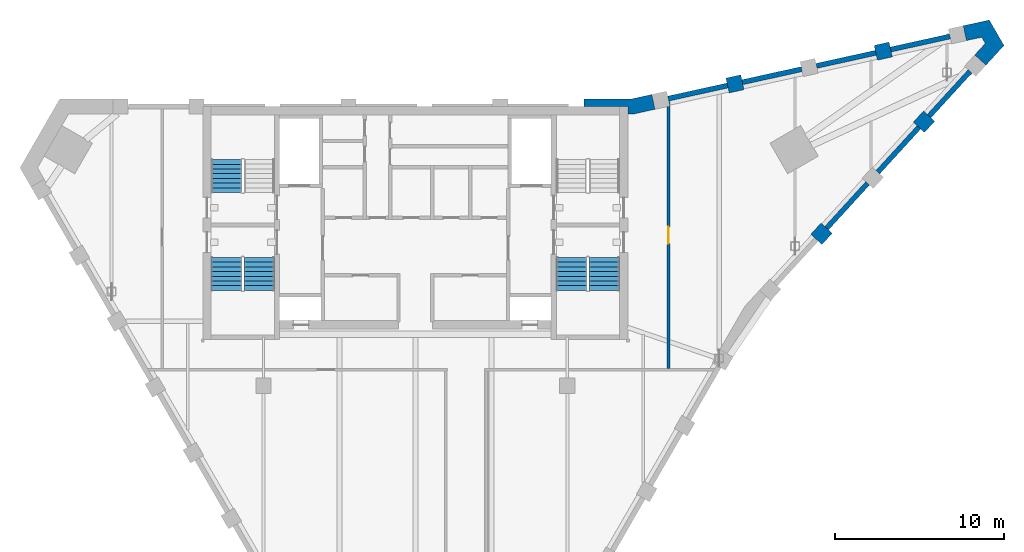
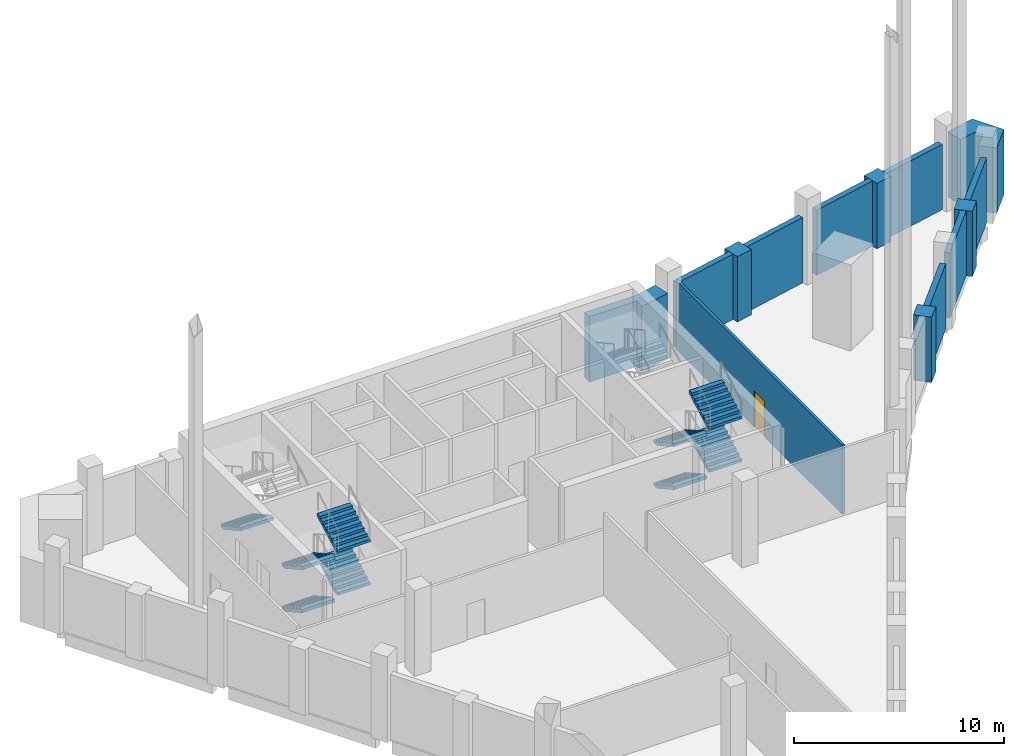
# One storey, part 7 of 11: 14 walls, 9 stair flights, 1 door, 1 opening, 3 elements without a shape of their own.
"""IFC4 building model written with IfcOpenShell, lengths in metres."""

from ifc_helpers import new_model, si_unit, direction, frame, frame_2d, origin, place, context, subcontext, project, spatial, polyline, rectangle, outline, extrude, faceted_brep, source, transform, mapped, material, layer, layer_set, type_object, element, fill, aggregate, save


model = new_model("IFC4")

# Units and contexts
model_context = context("Model", 3, precision=1e-05, world=origin(), true_north=direction((0.0, 1.0)))
body_context = subcontext(model_context, "Body", "Model", "MODEL_VIEW")
ifc_project = project(units=[si_unit("LENGTHUNIT", "METRE"), si_unit("AREAUNIT", "SQUARE_METRE"), si_unit("VOLUMEUNIT", "CUBIC_METRE"), si_unit("PLANEANGLEUNIT", "RADIAN"), si_unit("MASSUNIT", "GRAM", prefix="KILO")], contexts=[model_context])

# Site, building, storey
site_placement = place(None, origin())
site = spatial("IfcSite", under=ifc_project, at=site_placement, CompositionType="ELEMENT")
building_placement = place(site_placement, origin())
building = spatial("IfcBuilding", under=site, at=building_placement, Name="Calabash Gate Tower", CompositionType="ELEMENT")
storey_placement = place(building_placement, frame((0.0, 0.0, 310.5)))
storey = spatial("IfcBuildingStorey", under=building, at=storey_placement, Name="L73", CompositionType="ELEMENT", Elevation=310.5)

# Walls
ifc_material_1 = material(Name="Terracotta brick masonry, exposed face", Category="masonry")
ifc_layer_1 = layer(ifc_material_1, 0.89990234375)
ifc_layer_set_1 = layer_set([ifc_layer_1], Name="Brick end wall 900")
wall_type_1 = type_object("IfcWallType", Name="Brick end wall 900", PredefinedType="SOLIDWALL", material=ifc_layer_set_1)
wall_1_placement = place(storey_placement, frame((23.763671875, 11.17333984375, 0.0), z_axis=(0.0, 0.0, 1.0), x_axis=(0.674802966049, 0.737997938352, 0.0)))
element("IfcWall", 1, at=wall_1_placement, inside=storey, type_object=wall_type_1, Name="Brick pier L73 crown4.1", PredefinedType="SOLIDWALL", context=body_context, shape_type="SweptSolid", body=[
    extrude(rectangle(XDim=0.900146484375, YDim=0.89990234375, at=frame_2d((0.4501953125, 0.0))), origin(), (0.0, 0.0, 1.0), 3.800048828125),
])
wall_2_placement = place(storey_placement, frame((30.44482421875, 18.47900390625, 0.0), z_axis=(0.0, 0.0, 1.0), x_axis=(-0.674938051731, -0.737874397391, 0.0)))
element("IfcWall", 2, at=wall_2_placement, inside=storey, type_object=wall_type_1, Name="Brick pier L73 crown4.3", PredefinedType="SOLIDWALL", context=body_context, shape_type="SweptSolid", body=[
    extrude(rectangle(XDim=0.89990234375, YDim=0.89990234375, at=frame_2d((0.449951171875, 0.0))), origin(), (0.0, 0.0, 1.0), 3.800048828125),
])
for number, where, z_axis, x_axis, name in (
    (3, (28.16650390625, 22.42529296875, 0.0), (0.0, 0.0, 1.0), (-0.976473402733, -0.215637876437, 0.0), "Brick pier L73 crown6.1"),
    (4, (18.4990234375, 20.2919921875, 0.0), (0.0, 0.0, 1.0), (0.976473402733, 0.215637876437, 0.0), "Brick pier L73 crown6.3"),
):
    element("IfcWall", number, at=place(storey_placement, frame(where, z_axis=z_axis, x_axis=x_axis)), inside=storey, type_object=wall_type_1, Name=name, PredefinedType="SOLIDWALL", context=body_context, shape_type="SweptSolid", body=[
        extrude(rectangle(XDim=0.900146484375, YDim=0.89990234375, at=frame_2d((0.4501953125, 0.0))), origin(), (0.0, 0.0, 1.0), 3.800048828125),
    ])
wall_3_placement = place(storey_placement, origin())
element("IfcWall", 5, at=wall_3_placement, inside=storey, type_object=wall_type_1, Name="Brick end wall L73 3", PredefinedType="SOLIDWALL", context=body_context, shape_type="SweptSolid", body=[
    extrude(outline(polyline([(33.813720703125, 21.496337890625), (34.881591796875, 22.663818359375), (34.0087890625, 24.175048828125), (32.4638671875, 23.834228515625), (32.65771484375, 22.955322265625), (33.55908203125, 23.154296875), (33.7724609375, 22.78466796875), (33.149658203125, 22.103759765625), (33.813720703125, 21.496337890625)])), origin(), (0.0, 0.0, 1.0), 3.800048828125),
])
wall_4_placement = place(storey_placement, origin())
element("IfcWall", 6, at=wall_4_placement, inside=storey, type_object=wall_type_1, Name="Brick end wall L73 4", PredefinedType="SOLIDWALL", context=body_context, shape_type="SweptSolid", body=[
    extrude(outline(polyline([(14.007568359375, 19.761474609375), (12.83251953125, 19.50244140625), (9.984375, 19.50244140625), (9.984375, 19.052490234375), (12.60009765625, 19.052490234375), (12.60009765625, 18.6025390625), (12.930419921875, 18.6025390625), (14.201416015625, 18.883056640625), (14.007568359375, 19.761474609375)])), origin(), (0.0, 0.0, 1.0), 3.800048828125),
])

# Wall, opening, door
ifc_material_2 = material(Name="Gypsum board on steel studs, mineral wool", Category="steel")
ifc_layer_2 = layer(ifc_material_2, 0.14990234375)
ifc_layer_set_2 = layer_set([ifc_layer_2], Name="Partition 150 gypsum board")
wall_type_2 = type_object("IfcWallType", Name="Partition 150 gypsum board", PredefinedType="PARTITIONING", material=ifc_layer_set_2)
wall_5_placement = place(storey_placement, frame((15.0, 3.527587890625, 0.0), z_axis=(0.0, 0.0, 1.0), x_axis=(0.0, 1.0, 0.0)))
wall_5 = element("IfcWall", 7, at=wall_5_placement, inside=storey, type_object=wall_type_2, Name="Partition", PredefinedType="PARTITIONING", context=body_context, shape_type="SweptSolid", body=[
    extrude(rectangle(XDim=15.830322265625, YDim=0.14990234375, at=frame_2d((7.9150390625, 0.0))), origin(), (0.0, 0.0, 1.0), 4.02001953125),
])
opening_placement = place(wall_5_placement, frame((7.392333984375, 0.0, 0.0)))
opening = element("IfcOpeningElement", 8, at=opening_placement, cuts=wall_5, Name="Opening L73-025", PredefinedType="OPENING", context=body_context, shape_type="SweptSolid", body=[
    extrude(rectangle(XDim=1.0, YDim=2.10009765625, at=frame_2d((0.5, 1.050048828125))), frame((0.0, 0.0849609375, 0.0), z_axis=(0.0, -1.0, 0.0), x_axis=(1.0, 0.0, 0.0)), (0.0, 0.0, 1.0), 0.169921875),
])
ifc_material_3 = material(Name="Steel fire door set with fire-resisting glazing", Category="steel")
door_type = type_object("IfcDoorType", Name="Fire door D11 1000x2100 FD60", OperationType="NOTDEFINED", PredefinedType="DOOR", material=ifc_material_3)
door_placement = place(opening_placement, origin())
door = element("IfcDoor", 9, at=door_placement, inside=storey, type_object=door_type, Name="Mechanical Fan Room door", OperationType="SINGLE_SWING_LEFT", OverallHeight=2.10009765625, OverallWidth=1.0, PredefinedType="DOOR", context=body_context, shape_type="SweptSolid", body=[
    extrude(rectangle(XDim=1.0, YDim=2.10009765625, at=frame_2d((0.5, 1.050048828125))), frame((0.0, 0.02490234375, 0.0), z_axis=(0.0, -1.0, 0.0), x_axis=(1.0, 0.0, 0.0)), (0.0, 0.0, 1.0), 0.050048828125),
])
fill(opening, door)

# Walls
ifc_material_4 = material(Name="Terracotta louvre blades in an aluminium frame", Category="masonry")
ifc_layer_3 = layer(ifc_material_4, 0.300048828125)
ifc_layer_set_3 = layer_set([ifc_layer_3], Name="Terracotta louvre wall 300")
wall_type_3 = type_object("IfcWallType", Name="Terracotta louvre wall 300", PredefinedType="ELEMENTEDWALL", material=ifc_layer_set_3)
wall_6_placement = place(storey_placement, frame((24.37109375, 11.837646484375, 0.0), z_axis=(0.0, 0.0, 1.0), x_axis=(0.674867348758, 0.737939063595, 0.0)))
element("IfcWall", 10, at=wall_6_placement, inside=storey, type_object=wall_type_3, Name="LOUVRE L73 crown4.2", PredefinedType="ELEMENTEDWALL", context=body_context, shape_type="SweptSolid", body=[
    extrude(rectangle(XDim=3.599853515625, YDim=0.300048828125, at=frame_2d((1.7998046875, 0.0))), origin(), (0.0, 0.0, 1.0), 3.800048828125),
])
for number, where, z_axis, x_axis, name in (
    (11, (27.407958984375, 15.158203125, 0.0), (0.0, 0.0, 1.0), (0.674833575111, 0.737969949187, 0.0), "LOUVRE L73 crown4.3"),
    (12, (30.44482421875, 18.47900390625, 0.0), (0.0, 0.0, 1.0), (0.674833575111, 0.737969949187, 0.0), "LOUVRE L73 crown4.4"),
):
    element("IfcWall", number, at=place(storey_placement, frame(where, z_axis=z_axis, x_axis=x_axis)), inside=storey, type_object=wall_type_3, Name=name, PredefinedType="ELEMENTEDWALL", context=body_context, shape_type="SweptSolid", body=[
        extrude(rectangle(XDim=3.60009765625, YDim=0.300048828125, at=frame_2d((1.800048828125, 0.0))), origin(), (0.0, 0.0, 1.0), 3.800048828125),
    ])
wall_7_placement = place(storey_placement, frame((31.681884765625, 23.200927734375, 0.0), z_axis=(0.0, 0.0, 1.0), x_axis=(-0.976513072969, -0.215458159096, 0.0)))
element("IfcWall", 13, at=wall_7_placement, inside=storey, type_object=wall_type_3, Name="LOUVRE L73 crown6.1", PredefinedType="ELEMENTEDWALL", context=body_context, shape_type="SweptSolid", body=[
    extrude(rectangle(XDim=3.599853515625, YDim=0.300048828125, at=frame_2d((1.7998046875, 0.0))), origin(), (0.0, 0.0, 1.0), 3.800048828125),
])
wall_8_placement = place(storey_placement, origin())
element("IfcWall", 14, at=wall_8_placement, inside=storey, type_object=wall_type_3, Name="LOUVRE L73 crown6.2", PredefinedType="ELEMENTEDWALL", context=body_context, shape_type="SweptSolid", body=[
    extrude(outline(polyline([(27.25537109375, 22.377685546875), (23.740234375, 21.60205078125), (23.804931640625, 21.30908203125), (27.31982421875, 22.084716796875), (27.25537109375, 22.377685546875)])), origin(), (0.0, 0.0, 1.0), 3.800048828125),
])
for number, where, z_axis, x_axis, name in (
    (15, (22.893310546875, 21.26171875, 0.0), (0.0, 0.0, 1.0), (-0.976513072969, -0.215458159096, 0.0), "LOUVRE L73 crown6.3"),
    (16, (18.4990234375, 20.2919921875, 0.0), (0.0, 0.0, 1.0), (-0.976513072969, -0.215458159096, 0.0), "LOUVRE L73 crown6.4"),
):
    element("IfcWall", number, at=place(storey_placement, frame(where, z_axis=z_axis, x_axis=x_axis)), inside=storey, type_object=wall_type_3, Name=name, PredefinedType="ELEMENTEDWALL", context=body_context, shape_type="SweptSolid", body=[
        extrude(rectangle(XDim=3.599853515625, YDim=0.300048828125, at=frame_2d((1.7998046875, 0.0))), origin(), (0.0, 0.0, 1.0), 3.800048828125),
    ])

# Stair, stair flight
ifc_material_5 = material(Name="Concrete C40/50", Category="concrete")
stair_type = type_object("IfcStairType", Name="Exit stair 32 risers of 156.2 mm", PredefinedType="HALF_TURN_STAIR", material=ifc_material_5)
stair_1_placement = place(storey_placement, origin())
stair_1 = element("IfcStair", 17, at=stair_1_placement, inside=storey, type_object=stair_type, Name="L73 Exit stair ST1", PredefinedType="HALF_TURN_STAIR")
ifc_material_6 = material(Name="Concrete C40/50", Category="concrete")
stair_flight_type = type_object("IfcStairFlightType", Name="Exit stair flight SFL", PredefinedType="STRAIGHT", material=ifc_material_6)
shared_shape = source(origin(), body_context, "Body", "Brep", [
    faceted_brep([(-0.0009765625, -0.89990234375, 0.0), (0.306884765625, -0.89990234375, 0.0), (1.9541015625, -0.89990234375, 0.921875), (-0.0009765625, 0.89990234375, 0.0), (1.9541015625, 0.89990234375, 0.921875), (0.306884765625, 0.89990234375, 0.0), (1.9541015625, -0.89990234375, 1.105712890625), (1.952880859375, -0.89990234375, 1.105712890625), (1.952880859375, 0.89990234375, 1.105712890625), (1.9541015625, 0.89990234375, 1.105712890625), (1.952880859375, -0.89990234375, 1.09375), (1.952880859375, 0.89990234375, 1.09375), (1.674072265625, -0.89990234375, 1.09375), (1.674072265625, 0.89990234375, 1.09375), (1.674072265625, -0.89990234375, 0.9375), (1.674072265625, 0.89990234375, 0.9375), (1.39501953125, -0.89990234375, 0.9375), (1.39501953125, 0.89990234375, 0.9375), (1.39501953125, -0.89990234375, 0.78125), (1.39501953125, 0.89990234375, 0.78125), (1.115966796875, -0.89990234375, 0.78125), (1.115966796875, -0.89990234375, 0.625), (1.115966796875, 0.89990234375, 0.625), (1.115966796875, 0.89990234375, 0.78125), (0.8369140625, -0.89990234375, 0.625), (0.8369140625, -0.89990234375, 0.46875), (0.8369140625, 0.89990234375, 0.46875), (0.8369140625, 0.89990234375, 0.625), (0.55810546875, -0.89990234375, 0.46875), (0.55810546875, -0.89990234375, 0.3125), (0.55810546875, 0.89990234375, 0.3125), (0.55810546875, 0.89990234375, 0.46875), (0.279052734375, -0.89990234375, 0.3125), (0.279052734375, -0.89990234375, 0.15625), (0.279052734375, 0.89990234375, 0.15625), (0.279052734375, 0.89990234375, 0.3125), (-0.0009765625, -0.89990234375, 0.15625), (-0.0009765625, 0.89990234375, 0.15625), (0.306884765625, -0.360107421875, 0.0), (1.9541015625, -0.360107421875, 0.921875), (0.306884765625, -0.27001953125, 0.0), (1.9541015625, -0.27001953125, 0.921875), (0.306884765625, -0.179931640625, 0.0), (1.9541015625, -0.179931640625, 0.921875), (0.306884765625, -0.090087890625, 0.0), (1.9541015625, -0.090087890625, 0.921875), (0.306884765625, 0.0, 0.0), (1.9541015625, 0.0, 0.921875), (0.306884765625, 0.090087890625, 0.0), (1.9541015625, 0.090087890625, 0.921875), (0.306884765625, 0.179931640625, 0.0), (1.9541015625, 0.179931640625, 0.921875), (0.306884765625, 0.27001953125, 0.0), (1.9541015625, 0.27001953125, 0.921875), (0.306884765625, 0.360107421875, 0.0), (1.9541015625, 0.360107421875, 0.921875), (1.9541015625, -0.360107421875, 1.105712890625), (1.9541015625, -0.27001953125, 1.105712890625), (1.9541015625, -0.179931640625, 1.105712890625), (1.9541015625, -0.090087890625, 1.105712890625), (1.9541015625, 0.0, 1.105712890625), (1.9541015625, 0.090087890625, 1.105712890625), (1.9541015625, 0.179931640625, 1.105712890625), (1.9541015625, 0.27001953125, 1.105712890625), (1.9541015625, 0.360107421875, 1.105712890625), (1.952880859375, -0.360107421875, 1.105712890625), (1.952880859375, -0.27001953125, 1.105712890625), (1.952880859375, -0.179931640625, 1.105712890625), (1.952880859375, -0.090087890625, 1.105712890625), (1.952880859375, 0.0, 1.105712890625), (1.952880859375, 0.090087890625, 1.105712890625), (1.952880859375, 0.179931640625, 1.105712890625), (1.952880859375, 0.27001953125, 1.105712890625), (1.952880859375, 0.360107421875, 1.105712890625), (1.952880859375, -0.360107421875, 1.09375), (1.952880859375, -0.27001953125, 1.09375), (1.952880859375, -0.179931640625, 1.09375), (1.952880859375, -0.090087890625, 1.09375), (1.952880859375, 0.0, 1.09375), (1.952880859375, 0.090087890625, 1.09375), (1.952880859375, 0.179931640625, 1.09375), (1.952880859375, 0.27001953125, 1.09375), (1.952880859375, 0.360107421875, 1.09375), (1.674072265625, -0.360107421875, 1.09375), (1.674072265625, -0.27001953125, 1.09375), (1.674072265625, -0.179931640625, 1.09375), (1.674072265625, -0.090087890625, 1.09375), (1.674072265625, 0.0, 1.09375), (1.674072265625, 0.090087890625, 1.09375), (1.674072265625, 0.179931640625, 1.09375), (1.674072265625, 0.27001953125, 1.09375), (1.674072265625, 0.360107421875, 1.09375), (1.674072265625, -0.360107421875, 0.9375), (1.674072265625, -0.27001953125, 0.9375), (1.674072265625, -0.179931640625, 0.9375), (1.674072265625, -0.090087890625, 0.9375), (1.674072265625, 0.0, 0.9375), (1.674072265625, 0.090087890625, 0.9375), (1.674072265625, 0.179931640625, 0.9375), (1.674072265625, 0.27001953125, 0.9375), (1.674072265625, 0.360107421875, 0.9375), (1.39501953125, -0.360107421875, 0.9375), (1.39501953125, -0.27001953125, 0.9375), (1.39501953125, -0.179931640625, 0.9375), (1.39501953125, -0.090087890625, 0.9375), (1.39501953125, 0.0, 0.9375), (1.39501953125, 0.090087890625, 0.9375), (1.39501953125, 0.179931640625, 0.9375), (1.39501953125, 0.27001953125, 0.9375), (1.39501953125, 0.360107421875, 0.9375), (1.39501953125, -0.360107421875, 0.78125), (1.39501953125, -0.27001953125, 0.78125), (1.39501953125, -0.179931640625, 0.78125), (1.39501953125, -0.090087890625, 0.78125), (1.39501953125, 0.0, 0.78125), (1.39501953125, 0.090087890625, 0.78125), (1.39501953125, 0.179931640625, 0.78125), (1.39501953125, 0.27001953125, 0.78125), (1.39501953125, 0.360107421875, 0.78125), (1.115966796875, -0.360107421875, 0.78125), (1.115966796875, -0.27001953125, 0.78125), (1.115966796875, -0.179931640625, 0.78125), (1.115966796875, -0.090087890625, 0.78125), (1.115966796875, 0.0, 0.78125), (1.115966796875, 0.090087890625, 0.78125), (1.115966796875, 0.179931640625, 0.78125), (1.115966796875, 0.27001953125, 0.78125), (1.115966796875, 0.360107421875, 0.78125), (1.115966796875, -0.360107421875, 0.625), (1.115966796875, -0.27001953125, 0.625), (1.115966796875, -0.179931640625, 0.625), (1.115966796875, -0.090087890625, 0.625), (1.115966796875, 0.0, 0.625), (1.115966796875, 0.090087890625, 0.625), (1.115966796875, 0.179931640625, 0.625), (1.115966796875, 0.27001953125, 0.625), (1.115966796875, 0.360107421875, 0.625), (0.8369140625, -0.360107421875, 0.625), (0.8369140625, -0.27001953125, 0.625), (0.8369140625, -0.179931640625, 0.625), (0.8369140625, -0.090087890625, 0.625), (0.8369140625, 0.0, 0.625), (0.8369140625, 0.090087890625, 0.625), (0.8369140625, 0.179931640625, 0.625), (0.8369140625, 0.27001953125, 0.625), (0.8369140625, 0.360107421875, 0.625), (0.8369140625, -0.360107421875, 0.46875), (0.8369140625, -0.27001953125, 0.46875), (0.8369140625, -0.179931640625, 0.46875), (0.8369140625, -0.090087890625, 0.46875), (0.8369140625, 0.0, 0.46875), (0.8369140625, 0.090087890625, 0.46875), (0.8369140625, 0.179931640625, 0.46875), (0.8369140625, 0.27001953125, 0.46875), (0.8369140625, 0.360107421875, 0.46875), (0.55810546875, -0.360107421875, 0.46875), (0.55810546875, -0.27001953125, 0.46875), (0.55810546875, -0.179931640625, 0.46875), (0.55810546875, -0.090087890625, 0.46875), (0.55810546875, 0.0, 0.46875), (0.55810546875, 0.090087890625, 0.46875), (0.55810546875, 0.179931640625, 0.46875), (0.55810546875, 0.27001953125, 0.46875), (0.55810546875, 0.360107421875, 0.46875), (0.55810546875, -0.360107421875, 0.3125), (0.55810546875, -0.27001953125, 0.3125), (0.55810546875, -0.179931640625, 0.3125), (0.55810546875, -0.090087890625, 0.3125), (0.55810546875, 0.0, 0.3125), (0.55810546875, 0.090087890625, 0.3125), (0.55810546875, 0.179931640625, 0.3125), (0.55810546875, 0.27001953125, 0.3125), (0.55810546875, 0.360107421875, 0.3125), (0.279052734375, -0.360107421875, 0.3125), (0.279052734375, -0.27001953125, 0.3125), (0.279052734375, -0.179931640625, 0.3125), (0.279052734375, -0.090087890625, 0.3125), (0.279052734375, 0.0, 0.3125), (0.279052734375, 0.090087890625, 0.3125), (0.279052734375, 0.179931640625, 0.3125), (0.279052734375, 0.27001953125, 0.3125), (0.279052734375, 0.360107421875, 0.3125), (0.279052734375, -0.360107421875, 0.15625), (0.279052734375, -0.27001953125, 0.15625), (0.279052734375, -0.179931640625, 0.15625), (0.279052734375, -0.090087890625, 0.15625), (0.279052734375, 0.0, 0.15625), (0.279052734375, 0.090087890625, 0.15625), (0.279052734375, 0.179931640625, 0.15625), (0.279052734375, 0.27001953125, 0.15625), (0.279052734375, 0.360107421875, 0.15625), (-0.0009765625, -0.360107421875, 0.15625), (-0.0009765625, -0.27001953125, 0.15625), (-0.0009765625, -0.179931640625, 0.15625), (-0.0009765625, -0.090087890625, 0.15625), (-0.0009765625, 0.0, 0.15625), (-0.0009765625, 0.090087890625, 0.15625), (-0.0009765625, 0.179931640625, 0.15625), (-0.0009765625, 0.27001953125, 0.15625), (-0.0009765625, 0.360107421875, 0.15625), (-0.0009765625, -0.360107421875, 0.0), (-0.0009765625, -0.27001953125, 0.0), (-0.0009765625, -0.179931640625, 0.0), (-0.0009765625, -0.090087890625, 0.0), (-0.0009765625, 0.0, 0.0), (-0.0009765625, 0.090087890625, 0.0), (-0.0009765625, 0.179931640625, 0.0), (-0.0009765625, 0.27001953125, 0.0), (-0.0009765625, 0.360107421875, 0.0)], [[[0, 1, 2]], [[3, 4, 5]], [[2, 6, 7]], [[4, 8, 9]], [[2, 7, 10]], [[4, 11, 8]], [[2, 10, 12]], [[4, 13, 11]], [[2, 12, 14]], [[4, 15, 13]], [[2, 14, 16]], [[4, 17, 15]], [[2, 16, 18]], [[4, 19, 17]], [[18, 20, 21]], [[19, 22, 23]], [[2, 18, 21]], [[4, 22, 19]], [[21, 24, 25]], [[22, 26, 27]], [[2, 21, 25]], [[4, 26, 22]], [[25, 28, 29]], [[26, 30, 31]], [[2, 25, 29]], [[4, 30, 26]], [[29, 32, 33]], [[30, 34, 35]], [[2, 29, 33]], [[4, 34, 30]], [[0, 2, 33]], [[3, 34, 4]], [[33, 36, 0]], [[34, 3, 37]], [[1, 38, 2]], [[38, 39, 2]], [[38, 40, 39]], [[40, 41, 39]], [[40, 42, 41]], [[42, 43, 41]], [[42, 44, 43]], [[44, 45, 43]], [[44, 46, 45]], [[46, 47, 45]], [[46, 48, 49]], [[46, 49, 47]], [[48, 50, 51]], [[48, 51, 49]], [[50, 52, 53]], [[50, 53, 51]], [[52, 54, 55]], [[52, 55, 53]], [[54, 5, 4]], [[54, 4, 55]], [[2, 39, 6]], [[39, 56, 6]], [[39, 41, 56]], [[41, 57, 56]], [[41, 43, 57]], [[43, 58, 57]], [[43, 45, 58]], [[45, 59, 58]], [[45, 47, 59]], [[47, 60, 59]], [[47, 49, 61]], [[47, 61, 60]], [[49, 51, 62]], [[49, 62, 61]], [[51, 53, 63]], [[51, 63, 62]], [[53, 55, 64]], [[53, 64, 63]], [[55, 4, 9]], [[55, 9, 64]], [[6, 56, 7]], [[56, 65, 7]], [[56, 57, 65]], [[57, 66, 65]], [[57, 58, 66]], [[58, 67, 66]], [[58, 59, 67]], [[59, 68, 67]], [[59, 60, 68]], [[60, 69, 68]], [[60, 61, 70]], [[60, 70, 69]], [[61, 62, 71]], [[61, 71, 70]], [[62, 63, 72]], [[62, 72, 71]], [[63, 64, 73]], [[63, 73, 72]], [[64, 9, 8]], [[64, 8, 73]], [[7, 65, 10]], [[65, 74, 10]], [[65, 66, 74]], [[66, 75, 74]], [[66, 67, 75]], [[67, 76, 75]], [[67, 68, 76]], [[68, 77, 76]], [[68, 69, 77]], [[69, 78, 77]], [[69, 70, 79]], [[69, 79, 78]], [[70, 71, 80]], [[70, 80, 79]], [[71, 72, 81]], [[71, 81, 80]], [[72, 73, 82]], [[72, 82, 81]], [[73, 8, 11]], [[73, 11, 82]], [[10, 74, 12]], [[74, 83, 12]], [[74, 75, 83]], [[75, 84, 83]], [[75, 76, 84]], [[76, 85, 84]], [[76, 77, 85]], [[77, 86, 85]], [[77, 78, 86]], [[78, 87, 86]], [[78, 79, 88]], [[78, 88, 87]], [[79, 80, 89]], [[79, 89, 88]], [[80, 81, 90]], [[80, 90, 89]], [[81, 82, 91]], [[81, 91, 90]], [[82, 11, 13]], [[82, 13, 91]], [[12, 83, 14]], [[83, 92, 14]], [[83, 84, 92]], [[84, 93, 92]], [[84, 85, 93]], [[85, 94, 93]], [[85, 86, 94]], [[86, 95, 94]], [[86, 87, 95]], [[87, 96, 95]], [[87, 88, 97]], [[87, 97, 96]], [[88, 89, 98]], [[88, 98, 97]], [[89, 90, 99]], [[89, 99, 98]], [[90, 91, 100]], [[90, 100, 99]], [[91, 13, 15]], [[91, 15, 100]], [[14, 92, 16]], [[92, 101, 16]], [[92, 93, 101]], [[93, 102, 101]], [[93, 94, 102]], [[94, 103, 102]], [[94, 95, 103]], [[95, 104, 103]], [[95, 96, 104]], [[96, 105, 104]], [[96, 97, 106]], [[96, 106, 105]], [[97, 98, 107]], [[97, 107, 106]], [[98, 99, 108]], [[98, 108, 107]], [[99, 100, 109]], [[99, 109, 108]], [[100, 15, 17]], [[100, 17, 109]], [[16, 101, 18]], [[101, 110, 18]], [[101, 102, 110]], [[102, 111, 110]], [[102, 103, 111]], [[103, 112, 111]], [[103, 104, 112]], [[104, 113, 112]], [[104, 105, 113]], [[105, 114, 113]], [[105, 106, 115]], [[105, 115, 114]], [[106, 107, 116]], [[106, 116, 115]], [[107, 108, 117]], [[107, 117, 116]], [[108, 109, 118]], [[108, 118, 117]], [[109, 17, 19]], [[109, 19, 118]], [[18, 110, 20]], [[110, 119, 20]], [[110, 111, 119]], [[111, 120, 119]], [[111, 112, 120]], [[112, 121, 120]], [[112, 113, 121]], [[113, 122, 121]], [[113, 114, 122]], [[114, 123, 122]], [[114, 115, 124]], [[114, 124, 123]], [[115, 116, 125]], [[115, 125, 124]], [[116, 117, 126]], [[116, 126, 125]], [[117, 118, 127]], [[117, 127, 126]], [[118, 19, 23]], [[118, 23, 127]], [[20, 119, 21]], [[119, 128, 21]], [[119, 120, 128]], [[120, 129, 128]], [[120, 121, 129]], [[121, 130, 129]], [[121, 122, 130]], [[122, 131, 130]], [[122, 123, 131]], [[123, 132, 131]], [[123, 124, 133]], [[123, 133, 132]], [[124, 125, 134]], [[124, 134, 133]], [[125, 126, 135]], [[125, 135, 134]], [[126, 127, 136]], [[126, 136, 135]], [[127, 23, 22]], [[127, 22, 136]], [[21, 128, 24]], [[128, 137, 24]], [[128, 129, 137]], [[129, 138, 137]], [[129, 130, 138]], [[130, 139, 138]], [[130, 131, 139]], [[131, 140, 139]], [[131, 132, 140]], [[132, 141, 140]], [[132, 133, 142]], [[132, 142, 141]], [[133, 134, 143]], [[133, 143, 142]], [[134, 135, 144]], [[134, 144, 143]], [[135, 136, 145]], [[135, 145, 144]], [[136, 22, 27]], [[136, 27, 145]], [[24, 137, 25]], [[137, 146, 25]], [[137, 138, 146]], [[138, 147, 146]], [[138, 139, 147]], [[139, 148, 147]], [[139, 140, 148]], [[140, 149, 148]], [[140, 141, 149]], [[141, 150, 149]], [[141, 142, 151]], [[141, 151, 150]], [[142, 143, 152]], [[142, 152, 151]], [[143, 144, 153]], [[143, 153, 152]], [[144, 145, 154]], [[144, 154, 153]], [[145, 27, 26]], [[145, 26, 154]], [[25, 146, 28]], [[146, 155, 28]], [[146, 147, 155]], [[147, 156, 155]], [[147, 148, 156]], [[148, 157, 156]], [[148, 149, 157]], [[149, 158, 157]], [[149, 150, 158]], [[150, 159, 158]], [[150, 151, 160]], [[150, 160, 159]], [[151, 152, 161]], [[151, 161, 160]], [[152, 153, 162]], [[152, 162, 161]], [[153, 154, 163]], [[153, 163, 162]], [[154, 26, 31]], [[154, 31, 163]], [[28, 155, 29]], [[155, 164, 29]], [[155, 156, 164]], [[156, 165, 164]], [[156, 157, 165]], [[157, 166, 165]], [[157, 158, 166]], [[158, 167, 166]], [[158, 159, 167]], [[159, 168, 167]], [[159, 160, 169]], [[159, 169, 168]], [[160, 161, 170]], [[160, 170, 169]], [[161, 162, 171]], [[161, 171, 170]], [[162, 163, 172]], [[162, 172, 171]], [[163, 31, 30]], [[163, 30, 172]], [[29, 164, 32]], [[164, 173, 32]], [[164, 165, 173]], [[165, 174, 173]], [[165, 166, 174]], [[166, 175, 174]], [[166, 167, 175]], [[167, 176, 175]], [[167, 168, 176]], [[168, 177, 176]], [[168, 169, 178]], [[168, 178, 177]], [[169, 170, 179]], [[169, 179, 178]], [[170, 171, 180]], [[170, 180, 179]], [[171, 172, 181]], [[171, 181, 180]], [[172, 30, 35]], [[172, 35, 181]], [[32, 173, 33]], [[173, 182, 33]], [[173, 174, 182]], [[174, 183, 182]], [[174, 175, 183]], [[175, 184, 183]], [[175, 176, 184]], [[176, 185, 184]], [[176, 177, 185]], [[177, 186, 185]], [[177, 178, 187]], [[177, 187, 186]], [[178, 179, 188]], [[178, 188, 187]], [[179, 180, 189]], [[179, 189, 188]], [[180, 181, 190]], [[180, 190, 189]], [[181, 35, 34]], [[181, 34, 190]], [[33, 182, 36]], [[182, 191, 36]], [[182, 183, 191]], [[183, 192, 191]], [[183, 184, 192]], [[184, 193, 192]], [[184, 185, 193]], [[185, 194, 193]], [[185, 186, 194]], [[186, 195, 194]], [[186, 187, 196]], [[186, 196, 195]], [[187, 188, 197]], [[187, 197, 196]], [[188, 189, 198]], [[188, 198, 197]], [[189, 190, 199]], [[189, 199, 198]], [[190, 34, 37]], [[190, 37, 199]], [[36, 191, 0]], [[191, 200, 0]], [[191, 192, 200]], [[192, 201, 200]], [[192, 193, 201]], [[193, 202, 201]], [[193, 194, 202]], [[194, 203, 202]], [[194, 195, 203]], [[195, 204, 203]], [[195, 196, 205]], [[195, 205, 204]], [[196, 197, 206]], [[196, 206, 205]], [[197, 198, 207]], [[197, 207, 206]], [[198, 199, 208]], [[198, 208, 207]], [[199, 37, 3]], [[199, 3, 208]], [[0, 200, 1]], [[200, 38, 1]], [[200, 201, 38]], [[201, 40, 38]], [[201, 202, 40]], [[202, 42, 40]], [[202, 203, 42]], [[203, 44, 42]], [[203, 204, 44]], [[204, 46, 44]], [[204, 205, 48]], [[204, 48, 46]], [[205, 206, 50]], [[205, 50, 48]], [[206, 207, 52]], [[206, 52, 50]], [[207, 208, 54]], [[207, 54, 52]], [[208, 3, 5]], [[208, 5, 54]]]),
])
stair_flight_1_placement = place(storey_placement, frame((-11.199951171875, 15.905517578125, 1.25), z_axis=(0.0, 0.0, 1.0), x_axis=(0.0, -1.0, 0.0)))
stair_flight_1 = element("IfcStairFlight", 18, at=stair_flight_1_placement, type_object=stair_flight_type, Name="ST1 flight 2", NumberOfRisers=8, NumberOfTreads=7, PredefinedType="STRAIGHT", RiserHeight=0.15625, TreadLength=0.279, context=body_context, shape_type="MappedRepresentation", body=[
    mapped(shared_shape, transform((0.0, 0.0, 0.0), scale=1.0)),
])
aggregate(stair_1, [stair_flight_1])

# Stair, stair flights
stair_2_placement = place(storey_placement, origin())
stair_2 = element("IfcStair", 19, at=stair_2_placement, inside=storey, type_object=stair_type, Name="L73 Exit stair ST2", PredefinedType="HALF_TURN_STAIR")
stair_flight_2_placement = place(storey_placement, frame((-11.199951171875, 10.1025390625, 0.0), z_axis=(0.0, 0.0, 1.0), x_axis=(0.0, -1.0, 0.0)))
stair_flight_2 = element("IfcStairFlight", 20, at=stair_flight_2_placement, type_object=stair_flight_type, Name="ST2 flight 1", NumberOfRisers=8, NumberOfTreads=7, PredefinedType="STRAIGHT", RiserHeight=0.15625, TreadLength=0.279, context=body_context, shape_type="MappedRepresentation", body=[
    mapped(shared_shape, transform((0.0, 0.0, 0.0), scale=1.0)),
])
stair_flight_3_placement = place(storey_placement, frame((-9.25, 8.149658203125, 1.25), z_axis=(0.0, 0.0, 1.0), x_axis=(0.0, 1.0, 0.0)))
stair_flight_3 = element("IfcStairFlight", 21, at=stair_flight_3_placement, type_object=stair_flight_type, Name="ST2 flight 2", NumberOfRisers=8, NumberOfTreads=7, PredefinedType="STRAIGHT", RiserHeight=0.15625, TreadLength=0.279, context=body_context, shape_type="MappedRepresentation", body=[
    mapped(shared_shape, transform((0.0, 0.0, 0.0), scale=1.0)),
])
stair_flight_4_placement = place(storey_placement, frame((-11.199951171875, 10.1025390625, 2.5), z_axis=(0.0, 0.0, 1.0), x_axis=(0.0, -1.0, 0.0)))
stair_flight_4 = element("IfcStairFlight", 22, at=stair_flight_4_placement, type_object=stair_flight_type, Name="ST2 flight 3", NumberOfRisers=8, NumberOfTreads=7, PredefinedType="STRAIGHT", RiserHeight=0.15625, TreadLength=0.279, context=body_context, shape_type="MappedRepresentation", body=[
    mapped(shared_shape, transform((0.0, 0.0, 0.0), scale=1.0)),
])
stair_flight_5_placement = place(storey_placement, frame((-9.25, 8.149658203125, 3.75), z_axis=(0.0, 0.0, 1.0), x_axis=(0.0, 1.0, 0.0)))
stair_flight_5 = element("IfcStairFlight", 23, at=stair_flight_5_placement, type_object=stair_flight_type, Name="ST2 flight 4", NumberOfRisers=8, NumberOfTreads=7, PredefinedType="STRAIGHT", RiserHeight=0.15625, TreadLength=0.279, context=body_context, shape_type="MappedRepresentation", body=[
    mapped(shared_shape, transform((0.0, 0.0, 0.0), scale=1.0)),
])
aggregate(stair_2, [stair_flight_2, stair_flight_3, stair_flight_4, stair_flight_5])

stair_3_placement = place(storey_placement, origin())
stair_3 = element("IfcStair", 24, at=stair_3_placement, inside=storey, type_object=stair_type, Name="L73 Exit stair ST4", PredefinedType="HALF_TURN_STAIR")
stair_flight_6_placement = place(storey_placement, frame((9.25, 10.1025390625, 0.0), z_axis=(0.0, 0.0, 1.0), x_axis=(0.0, -1.0, 0.0)))
stair_flight_6 = element("IfcStairFlight", 25, at=stair_flight_6_placement, type_object=stair_flight_type, Name="ST4 flight 1", NumberOfRisers=8, NumberOfTreads=7, PredefinedType="STRAIGHT", RiserHeight=0.15625, TreadLength=0.279, context=body_context, shape_type="MappedRepresentation", body=[
    mapped(shared_shape, transform((0.0, 0.0, 0.0), scale=1.0)),
])
stair_flight_7_placement = place(storey_placement, frame((11.199951171875, 8.149658203125, 1.25), z_axis=(0.0, 0.0, 1.0), x_axis=(0.0, 1.0, 0.0)))
stair_flight_7 = element("IfcStairFlight", 26, at=stair_flight_7_placement, type_object=stair_flight_type, Name="ST4 flight 2", NumberOfRisers=8, NumberOfTreads=7, PredefinedType="STRAIGHT", RiserHeight=0.15625, TreadLength=0.279, context=body_context, shape_type="MappedRepresentation", body=[
    mapped(shared_shape, transform((0.0, 0.0, 0.0), scale=1.0)),
])
stair_flight_8_placement = place(storey_placement, frame((9.25, 10.1025390625, 2.5), z_axis=(0.0, 0.0, 1.0), x_axis=(0.0, -1.0, 0.0)))
stair_flight_8 = element("IfcStairFlight", 27, at=stair_flight_8_placement, type_object=stair_flight_type, Name="ST4 flight 3", NumberOfRisers=8, NumberOfTreads=7, PredefinedType="STRAIGHT", RiserHeight=0.15625, TreadLength=0.279, context=body_context, shape_type="MappedRepresentation", body=[
    mapped(shared_shape, transform((0.0, 0.0, 0.0), scale=1.0)),
])
stair_flight_9_placement = place(storey_placement, frame((11.199951171875, 8.149658203125, 3.75), z_axis=(0.0, 0.0, 1.0), x_axis=(0.0, 1.0, 0.0)))
stair_flight_9 = element("IfcStairFlight", 28, at=stair_flight_9_placement, type_object=stair_flight_type, Name="ST4 flight 4", NumberOfRisers=8, NumberOfTreads=7, PredefinedType="STRAIGHT", RiserHeight=0.15625, TreadLength=0.279, context=body_context, shape_type="MappedRepresentation", body=[
    mapped(shared_shape, transform((0.0, 0.0, 0.0), scale=1.0)),
])
aggregate(stair_3, [stair_flight_6, stair_flight_7, stair_flight_8, stair_flight_9])

save(model, "model.ifc")
